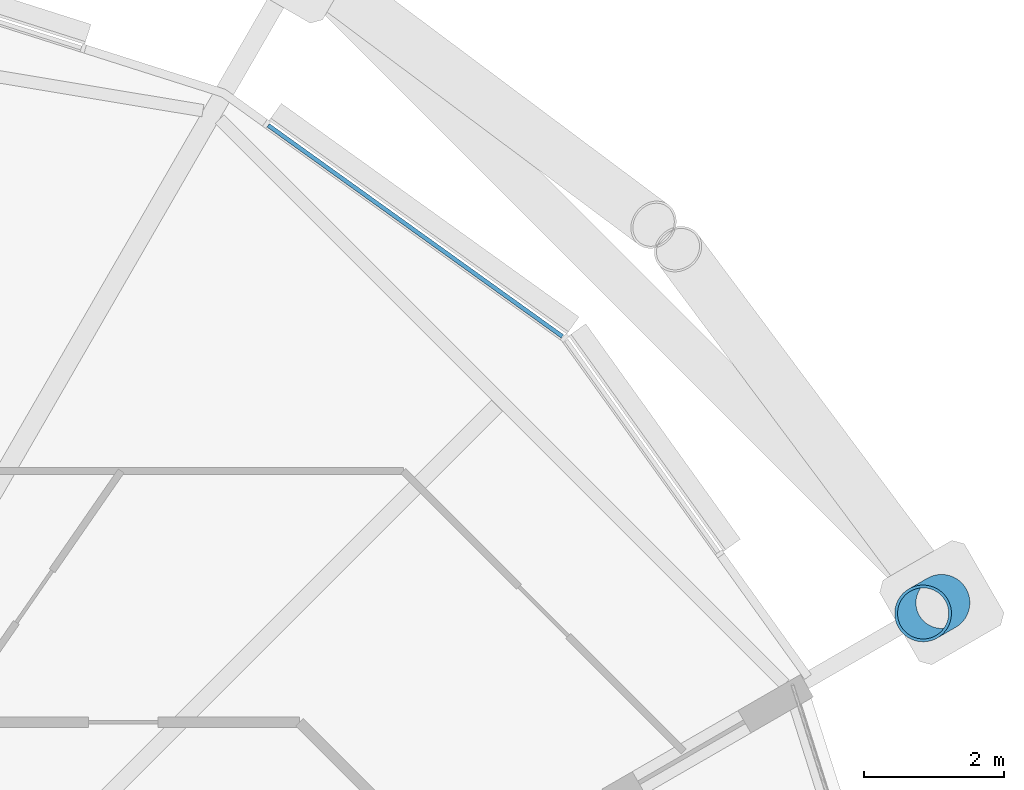
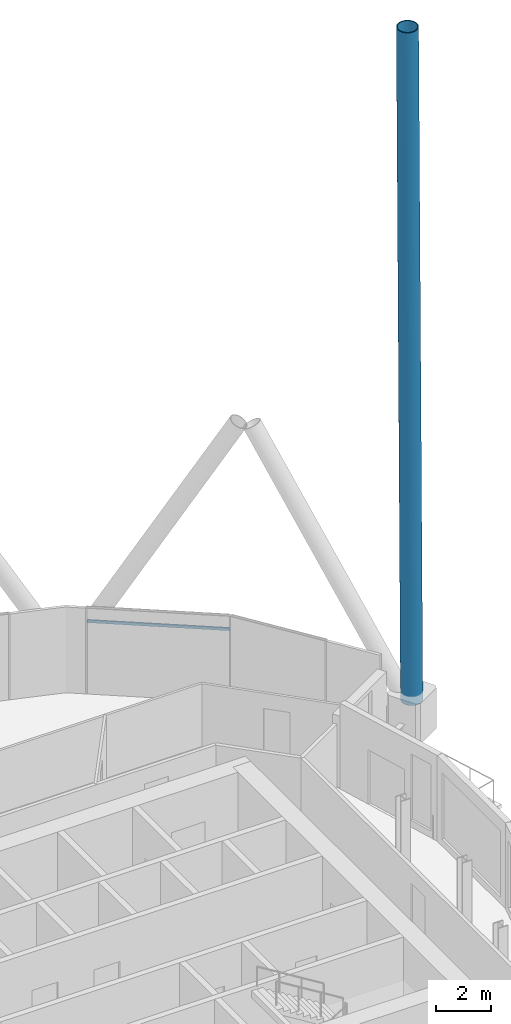
# One storey, part 24 of 39: 2 members, 1 element without a shape of its own.
"""IFC4 building model written with IfcOpenShell, lengths in metres."""

import ifcopenshell
import ifcopenshell.guid

model = None  # the IFC model being written
_history = None  # IfcOwnerHistory: only IFC2X3 demands one
_inside = {}  # id of a spatial element -> (the spatial element, [elements in it])
_under = {}  # id of a project, library or spatial element -> (it, [spatial elements below it])
_declared = {}  # id of a project -> (the project, [libraries it declares])
_typed = {}  # id of a type object -> (the type object, [elements of that type])
_made_of = {}  # id of a material, layer set ... -> (it, [elements and type objects made of it])


def new_model(schema):
    """Start an empty IFC model of exactly this schema.

    Asked for "IFC4X3", IfcOpenShell would pick the latest addendum, in which some entities
    have other attributes; the version numbers below select the first issue.
    IFC2X3 requires an IfcOwnerHistory on every rooted entity: one is made here for all.
    """
    global model, _history
    if schema == "IFC4X3":
        model = ifcopenshell.file(schema_version=(4, 3, 0, 0))
    else:
        model = ifcopenshell.file(schema=schema)
    _inside.clear()
    _under.clear()
    _declared.clear()
    _typed.clear()
    _made_of.clear()
    _history = None
    if model.schema == "IFC2X3":
        org = make("IfcOrganization", Name="unknown")
        user = make(
            "IfcPersonAndOrganization",
            ThePerson=make("IfcPerson", FamilyName="unknown"),
            TheOrganization=org,
        )
        app = make(
            "IfcApplication",
            ApplicationDeveloper=org,
            Version="unknown",
            ApplicationFullName="unknown",
            ApplicationIdentifier="unknown",
        )
        _history = make(
            "IfcOwnerHistory",
            OwningUser=user,
            OwningApplication=app,
            ChangeAction="ADDED",
            CreationDate=0,
        )
    return model


def make(cls, **values):
    """One entity of the class cls with the attributes given. An attribute that is None is left unset."""
    return model.create_entity(
        cls, **{name: value for name, value in values.items() if value is not None}
    )


def rooted(cls, **values):
    """An entity with a GlobalId (a new one), such as an element, a storey or a relation."""
    return make(cls, GlobalId=ifcopenshell.guid.new(), OwnerHistory=_history, **values)


def si_unit(unit_type, name, prefix=None):
    """IfcSIUnit, for example si_unit("LENGTHUNIT", "METRE", prefix="MILLI")."""
    return make("IfcSIUnit", UnitType=unit_type, Prefix=prefix, Name=name)


def assignment(units):
    """IfcUnitAssignment: the units of a project."""
    return None if units is None else make("IfcUnitAssignment", Units=units)


def point(xyz):
    """IfcCartesianPoint."""
    return None if xyz is None else make("IfcCartesianPoint", Coordinates=xyz)


def direction(xyz):
    """IfcDirection."""
    return None if xyz is None else make("IfcDirection", DirectionRatios=xyz)


def frame(location, z_axis=None, x_axis=None):
    """IfcAxis2Placement3D, a coordinate frame: its origin and axes. An axis left out is left unset."""
    return make(
        "IfcAxis2Placement3D",
        Location=point(location),
        Axis=direction(z_axis),
        RefDirection=direction(x_axis),
    )


def frame_2d(location, x_axis=None):
    """IfcAxis2Placement2D, a coordinate frame in the plane: its origin and x axis."""
    return make(
        "IfcAxis2Placement2D", Location=point(location), RefDirection=direction(x_axis)
    )


def origin():
    """The frame at (0, 0, 0) with its axes left unset."""
    return frame((0.0, 0.0, 0.0))


def origin_2d():
    """The frame at (0, 0) in the plane with its x axis left unset."""
    return frame_2d((0.0, 0.0))


def place(relative_to, where):
    """IfcLocalPlacement: puts the frame where relative to a parent placement (None: the world)."""
    return make(
        "IfcLocalPlacement", PlacementRelTo=relative_to, RelativePlacement=where
    )


def context(
    kind, dimensions, precision=None, world=None, true_north=None, identifier=None
):
    """IfcGeometricRepresentationContext, for example the 3D "Model" context."""
    return make(
        "IfcGeometricRepresentationContext",
        ContextIdentifier=identifier,
        ContextType=kind,
        CoordinateSpaceDimension=dimensions,
        Precision=precision,
        WorldCoordinateSystem=world,
        TrueNorth=true_north,
    )


def subcontext(parent, identifier, kind, view, scale=None):
    """IfcGeometricRepresentationSubContext, for example "Body" below "Model"."""
    return make(
        "IfcGeometricRepresentationSubContext",
        ContextIdentifier=identifier,
        ContextType=kind,
        ParentContext=parent,
        TargetScale=scale,
        TargetView=view,
    )


def project(units=None, contexts=None):
    """IfcProject with its units and contexts."""
    return rooted(
        "IfcProject",
        Name="project",
        RepresentationContexts=contexts,
        UnitsInContext=assignment(units),
    )


def spatial(cls, under=None, at=None, **own):
    """A site, building, storey or space (cls), placed at a placement, below another one or the project."""
    s = rooted(cls, ObjectPlacement=at, **own)
    if under is not None:
        _under.setdefault(under.id(), (under, []))[1].append(s)
    return s


def profile(cls, at=None, kind="AREA", **sizes):
    """A parametric profile (cls). Its sizes go by their IFC names, for example OverallWidth=200.0."""
    return make(cls, ProfileType=kind, Position=at, **sizes)


def rectangle(**sizes):
    """IfcRectangleProfileDef."""
    return profile("IfcRectangleProfileDef", **sizes)


def hollow_circle(**sizes):
    """IfcCircleHollowProfileDef."""
    return profile("IfcCircleHollowProfileDef", **sizes)


def extrude(swept, where, along, depth):
    """IfcExtrudedAreaSolid: the profile swept, set in the frame where, extruded along a direction by depth."""
    return make(
        "IfcExtrudedAreaSolid",
        SweptArea=swept,
        Position=where,
        ExtrudedDirection=direction(along),
        Depth=depth,
    )


def shape(context_of_items, identifier, shape_type, items):
    """IfcShapeRepresentation: the items that make up one representation, for example the "Body"."""
    return make(
        "IfcShapeRepresentation",
        ContextOfItems=context_of_items,
        RepresentationIdentifier=identifier,
        RepresentationType=shape_type,
        Items=items,
    )


def material(Name=None, Category=None):
    """IfcMaterial."""
    return make("IfcMaterial", Name=Name, Category=Category)


def material_profile(
    of_material, cross_section, Name=None, Category=None, Priority=None
):
    """IfcMaterialProfile: a cross section and its material."""
    return make(
        "IfcMaterialProfile",
        Name=Name,
        Material=of_material,
        Profile=cross_section,
        Priority=Priority,
        Category=Category,
    )


def profile_set(profiles, Name=None, composite=None):
    """IfcMaterialProfileSet."""
    return make(
        "IfcMaterialProfileSet",
        Name=Name,
        MaterialProfiles=profiles,
        CompositeProfile=composite,
    )


def made_of(thing, what):
    """Note that an element or type object is made of a material, layer set ...; save() writes the relation."""
    if what is not None:
        _made_of.setdefault(what.id(), (what, []))[1].append(thing)
    return thing


def type_object(cls, material=None, **own):
    """A type object (cls), such as IfcWallType, which elements share."""
    return made_of(rooted(cls, **own), material)


def element(
    cls,
    number,
    at=None,
    inside=None,
    cuts=None,
    type_object=None,
    material=None,
    context=None,
    identifier="Body",
    shape_type=None,
    held_by="IfcProductDefinitionShape",
    body=None,
    shapes=None,
    **own,
):
    """One element of the class cls, such as IfcWall. Its Tag is "e" and its number.

    at: its placement. inside: the storey or other place that contains it. cuts: it is an
    opening in that element (IfcRelVoidsElement). A single representation is given by context,
    identifier, shape_type and body (its items); several are given by shapes. held_by: the class
    of the entity that holds the representations. save() writes the other relations.
    """
    e = rooted(cls, Tag="e%d" % number, ObjectPlacement=at, **own)
    if body is not None:
        shapes = [shape(context, identifier, shape_type, body)]
    if shapes is not None:
        e.Representation = make(held_by, Representations=shapes)
    if inside is not None:
        _inside.setdefault(inside.id(), (inside, []))[1].append(e)
    if cuts is not None:
        rooted(
            "IfcRelVoidsElement", RelatingBuildingElement=cuts, RelatedOpeningElement=e
        )
    if type_object is not None:
        _typed.setdefault(type_object.id(), (type_object, []))[1].append(e)
    return made_of(e, material)


def aggregate(whole, parts):
    """IfcRelAggregates: a whole, such as a stair, and the parts it consists of."""
    return rooted("IfcRelAggregates", RelatingObject=whole, RelatedObjects=parts)


def save(model, path):
    """Write the relations noted so far, then the file.

    IfcRelAggregates (storeys below a building ...), IfcRelContainedInSpatialStructure (elements
    in a storey), IfcRelDefinesByType, IfcRelAssociatesMaterial and IfcRelDeclares: one each for
    every whole, place, type object, material and project.
    """
    for whole, parts in _under.values():
        aggregate(whole, parts)
    for where, things in _inside.values():
        rooted(
            "IfcRelContainedInSpatialStructure",
            RelatedElements=things,
            RelatingStructure=where,
        )
    for kind, things in _typed.values():
        rooted("IfcRelDefinesByType", RelatedObjects=things, RelatingType=kind)
    for what, things in _made_of.values():
        rooted("IfcRelAssociatesMaterial", RelatedObjects=things, RelatingMaterial=what)
    for by, libraries in _declared.values():
        rooted("IfcRelDeclares", RelatingContext=by, RelatedDefinitions=libraries)
    model.write(path)


model = new_model("IFC4")

# Units and contexts
model_context = context("Model", 3, precision=1e-05, world=origin(), true_north=direction((0.0, 1.0)))
body_context = subcontext(model_context, "Body", "Model", "MODEL_VIEW")
ifc_project = project(units=[si_unit("LENGTHUNIT", "METRE"), si_unit("AREAUNIT", "SQUARE_METRE"), si_unit("VOLUMEUNIT", "CUBIC_METRE"), si_unit("PLANEANGLEUNIT", "RADIAN"), si_unit("MASSUNIT", "GRAM", prefix="KILO")], contexts=[model_context])

# Site, building, storey
site_placement = place(None, origin())
site = spatial("IfcSite", under=ifc_project, at=site_placement, CompositionType="ELEMENT")
building_placement = place(site_placement, origin())
building = spatial("IfcBuilding", under=site, at=building_placement, Name="Rimbun Link Towers", CompositionType="ELEMENT")
storey_placement = place(building_placement, frame((0.0, 0.0, 115.800048828125)))
storey = spatial("IfcBuildingStorey", under=building, at=storey_placement, Name="L28", CompositionType="ELEMENT", Elevation=115.800048828125)

# Curtain wall, member
ifc_material_1 = material(Name="Aluminium 6063-T6 and low-iron glass", Category="aluminium")
curtain_wall_type = type_object("IfcCurtainWallType", Name="CW1-Z2 unitised vision wall (zone 2)", PredefinedType="NOTDEFINED", material=ifc_material_1)
curtain_wall_placement = place(storey_placement, origin())
curtain_wall = element("IfcCurtainWall", 1, at=curtain_wall_placement, inside=storey, type_object=curtain_wall_type, Name="CW1 L28 T2", PredefinedType="NOTDEFINED")
ifc_material_2 = material(Name="Aluminium 6063-T6", Category="aluminium")
ifc_material_profile_1 = material_profile(ifc_material_2, rectangle(XDim=0.06005859375, YDim=0.1201171875, at=origin_2d()), Name="TRANSOM 60X120")
ifc_profile_set_1 = profile_set([ifc_material_profile_1], Name="Aluminium 6063-T6")
member_type_1 = type_object("IfcMemberType", Name="CW1 transom 60X120", PredefinedType="USERDEFINED", material=ifc_profile_set_1)
member_1_placement = place(storey_placement, frame((43.85595703125, 19.404296875, 3.199951171875), z_axis=(0.812460270019, -0.583016560348, 0.0), x_axis=(0.583016560348, 0.812460270019, 0.0)))
member_1 = element("IfcMember", 2, at=member_1_placement, type_object=member_type_1, Name="CW1 transom", ObjectType="TRANSOM", PredefinedType="USERDEFINED", context=body_context, shape_type="SweptSolid", body=[
    extrude(rectangle(XDim=0.06005859375, YDim=0.1201171875, at=origin_2d()), origin(), (0.0, 0.0, 1.0), 5.1904296875),
])
aggregate(curtain_wall, [member_1])

# Member
ifc_material_3 = material(Name="Steel S460NH", Category="steel")
ifc_material_profile_2 = material_profile(ifc_material_3, hollow_circle(Radius=0.406494140625, WallThickness=0.0400390625, at=origin_2d()), Name="Slot edge CHS 813x40")
ifc_profile_set_2 = profile_set([ifc_material_profile_2], Name="Steel S460NH")
member_type_2 = type_object("IfcMemberType", Name="Slot edge CHS 813x40", PredefinedType="BRACE", material=ifc_profile_set_2)
member_2_placement = place(storey_placement, frame((53.506103515625, 12.560791015625, 0.5), z_axis=(-0.008796746717, -0.005077863045, 0.999948414947), x_axis=(0.499930512259, -0.866065518833, 0.0)))
element("IfcMember", 3, at=member_2_placement, inside=storey, type_object=member_type_2, Name="Slot edge T2 L28-L35 23", PredefinedType="BRACE", context=body_context, shape_type="SweptSolid", body=[
    extrude(hollow_circle(Radius=0.406494140625, WallThickness=0.0400390625, at=origin_2d()), origin(), (0.0, 0.0, 1.0), 30.00146484375),
])

save(model, "model.ifc")
